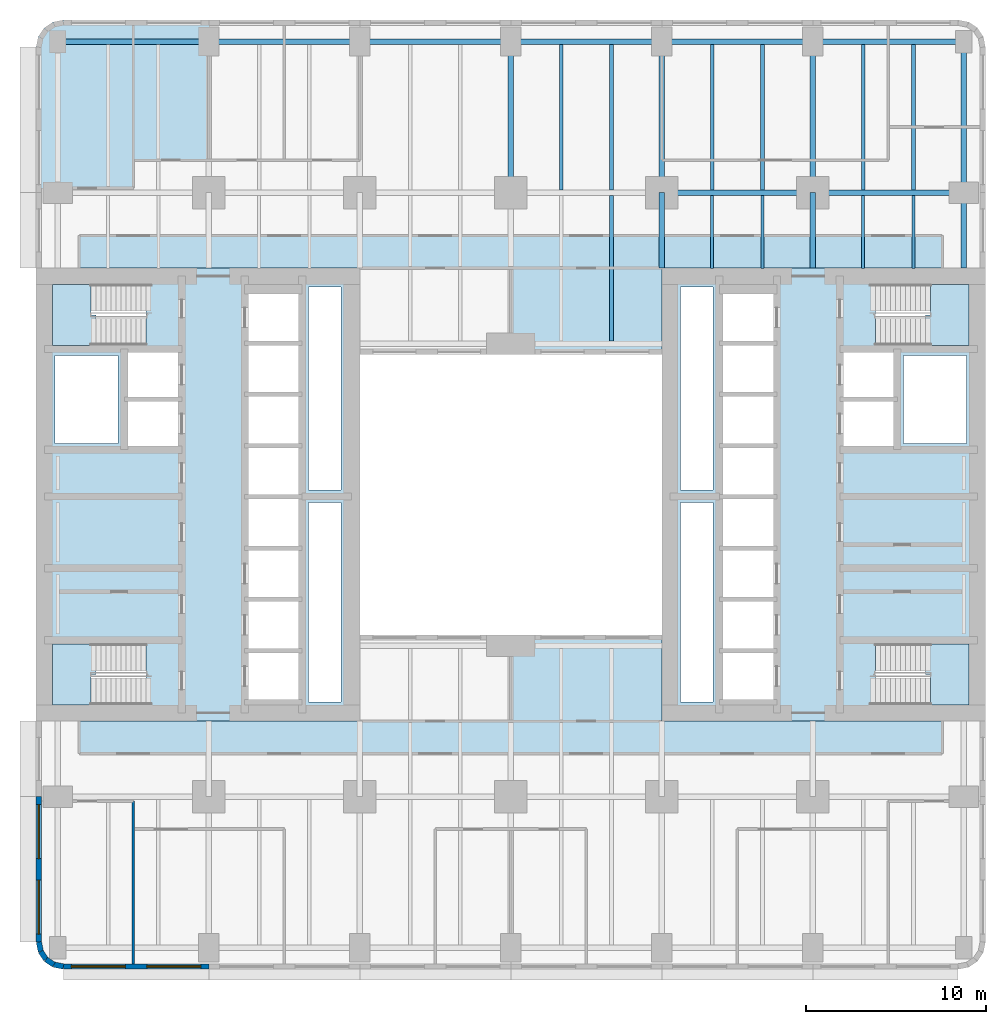
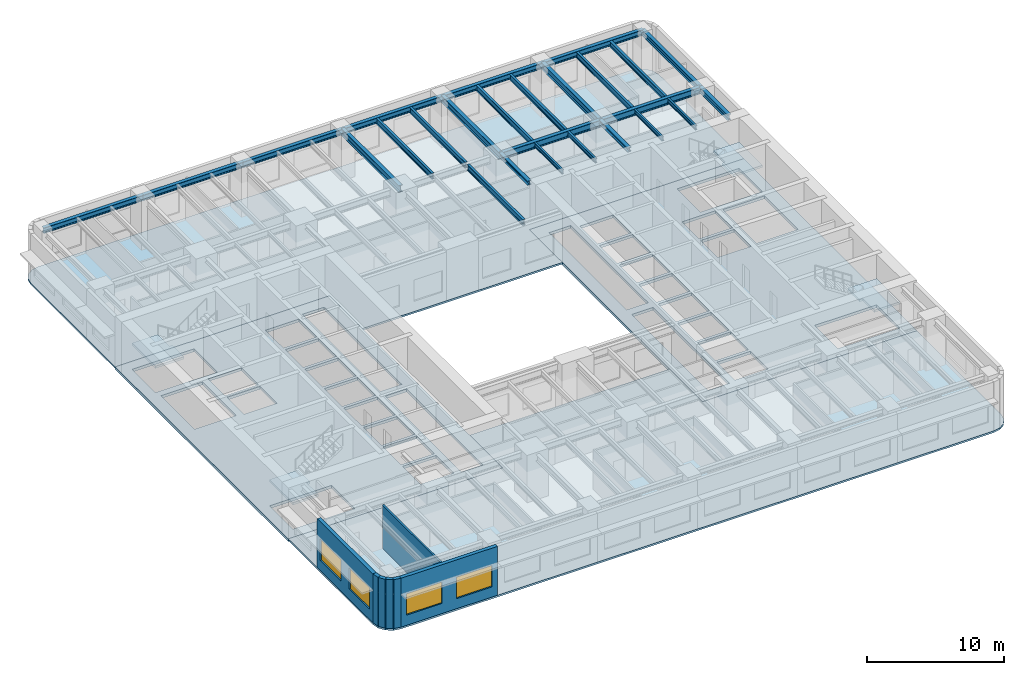
# One storey, part 2 of 14: 26 beams, 8 slabs, 7 walls, 4 windows, 4 openings, 4 elements without a shape of their own.
"""IFC4 building model written with IfcOpenShell, lengths in metres."""

import ifcopenshell
import ifcopenshell.guid

model = None  # the IFC model being written
_history = None  # IfcOwnerHistory: only IFC2X3 demands one
_inside = {}  # id of a spatial element -> (the spatial element, [elements in it])
_under = {}  # id of a project, library or spatial element -> (it, [spatial elements below it])
_declared = {}  # id of a project -> (the project, [libraries it declares])
_typed = {}  # id of a type object -> (the type object, [elements of that type])
_made_of = {}  # id of a material, layer set ... -> (it, [elements and type objects made of it])


def new_model(schema):
    """Start an empty IFC model of exactly this schema.

    Asked for "IFC4X3", IfcOpenShell would pick the latest addendum, in which some entities
    have other attributes; the version numbers below select the first issue.
    IFC2X3 requires an IfcOwnerHistory on every rooted entity: one is made here for all.
    """
    global model, _history
    if schema == "IFC4X3":
        model = ifcopenshell.file(schema_version=(4, 3, 0, 0))
    else:
        model = ifcopenshell.file(schema=schema)
    _inside.clear()
    _under.clear()
    _declared.clear()
    _typed.clear()
    _made_of.clear()
    _history = None
    if model.schema == "IFC2X3":
        org = make("IfcOrganization", Name="unknown")
        user = make(
            "IfcPersonAndOrganization",
            ThePerson=make("IfcPerson", FamilyName="unknown"),
            TheOrganization=org,
        )
        app = make(
            "IfcApplication",
            ApplicationDeveloper=org,
            Version="unknown",
            ApplicationFullName="unknown",
            ApplicationIdentifier="unknown",
        )
        _history = make(
            "IfcOwnerHistory",
            OwningUser=user,
            OwningApplication=app,
            ChangeAction="ADDED",
            CreationDate=0,
        )
    return model


def make(cls, **values):
    """One entity of the class cls with the attributes given. An attribute that is None is left unset."""
    return model.create_entity(
        cls, **{name: value for name, value in values.items() if value is not None}
    )


def rooted(cls, **values):
    """An entity with a GlobalId (a new one), such as an element, a storey or a relation."""
    return make(cls, GlobalId=ifcopenshell.guid.new(), OwnerHistory=_history, **values)


def si_unit(unit_type, name, prefix=None):
    """IfcSIUnit, for example si_unit("LENGTHUNIT", "METRE", prefix="MILLI")."""
    return make("IfcSIUnit", UnitType=unit_type, Prefix=prefix, Name=name)


def assignment(units):
    """IfcUnitAssignment: the units of a project."""
    return None if units is None else make("IfcUnitAssignment", Units=units)


def point(xyz):
    """IfcCartesianPoint."""
    return None if xyz is None else make("IfcCartesianPoint", Coordinates=xyz)


def direction(xyz):
    """IfcDirection."""
    return None if xyz is None else make("IfcDirection", DirectionRatios=xyz)


def frame(location, z_axis=None, x_axis=None):
    """IfcAxis2Placement3D, a coordinate frame: its origin and axes. An axis left out is left unset."""
    return make(
        "IfcAxis2Placement3D",
        Location=point(location),
        Axis=direction(z_axis),
        RefDirection=direction(x_axis),
    )


def frame_2d(location, x_axis=None):
    """IfcAxis2Placement2D, a coordinate frame in the plane: its origin and x axis."""
    return make(
        "IfcAxis2Placement2D", Location=point(location), RefDirection=direction(x_axis)
    )


def origin():
    """The frame at (0, 0, 0) with its axes left unset."""
    return frame((0.0, 0.0, 0.0))


def origin_2d():
    """The frame at (0, 0) in the plane with its x axis left unset."""
    return frame_2d((0.0, 0.0))


def place(relative_to, where):
    """IfcLocalPlacement: puts the frame where relative to a parent placement (None: the world)."""
    return make(
        "IfcLocalPlacement", PlacementRelTo=relative_to, RelativePlacement=where
    )


def context(
    kind, dimensions, precision=None, world=None, true_north=None, identifier=None
):
    """IfcGeometricRepresentationContext, for example the 3D "Model" context."""
    return make(
        "IfcGeometricRepresentationContext",
        ContextIdentifier=identifier,
        ContextType=kind,
        CoordinateSpaceDimension=dimensions,
        Precision=precision,
        WorldCoordinateSystem=world,
        TrueNorth=true_north,
    )


def subcontext(parent, identifier, kind, view, scale=None):
    """IfcGeometricRepresentationSubContext, for example "Body" below "Model"."""
    return make(
        "IfcGeometricRepresentationSubContext",
        ContextIdentifier=identifier,
        ContextType=kind,
        ParentContext=parent,
        TargetScale=scale,
        TargetView=view,
    )


def project(units=None, contexts=None):
    """IfcProject with its units and contexts."""
    return rooted(
        "IfcProject",
        Name="project",
        RepresentationContexts=contexts,
        UnitsInContext=assignment(units),
    )


def spatial(cls, under=None, at=None, **own):
    """A site, building, storey or space (cls), placed at a placement, below another one or the project."""
    s = rooted(cls, ObjectPlacement=at, **own)
    if under is not None:
        _under.setdefault(under.id(), (under, []))[1].append(s)
    return s


def polyline(points):
    """IfcPolyline through the points."""
    return make("IfcPolyline", Points=[point(p) for p in points])


def profile(cls, at=None, kind="AREA", **sizes):
    """A parametric profile (cls). Its sizes go by their IFC names, for example OverallWidth=200.0."""
    return make(cls, ProfileType=kind, Position=at, **sizes)


def rectangle(**sizes):
    """IfcRectangleProfileDef."""
    return profile("IfcRectangleProfileDef", **sizes)


def i_section(**sizes):
    """IfcIShapeProfileDef."""
    return profile("IfcIShapeProfileDef", **sizes)


def outline(outer, holes=None, kind="AREA"):
    """IfcArbitraryClosedProfileDef: a profile drawn as a closed curve; with holes, ...WithVoids."""
    if holes is None:
        return make("IfcArbitraryClosedProfileDef", ProfileType=kind, OuterCurve=outer)
    return make(
        "IfcArbitraryProfileDefWithVoids",
        ProfileType=kind,
        OuterCurve=outer,
        InnerCurves=holes,
    )


def extrude(swept, where, along, depth):
    """IfcExtrudedAreaSolid: the profile swept, set in the frame where, extruded along a direction by depth."""
    return make(
        "IfcExtrudedAreaSolid",
        SweptArea=swept,
        Position=where,
        ExtrudedDirection=direction(along),
        Depth=depth,
    )


def shape(context_of_items, identifier, shape_type, items):
    """IfcShapeRepresentation: the items that make up one representation, for example the "Body"."""
    return make(
        "IfcShapeRepresentation",
        ContextOfItems=context_of_items,
        RepresentationIdentifier=identifier,
        RepresentationType=shape_type,
        Items=items,
    )


def material(Name=None, Category=None):
    """IfcMaterial."""
    return make("IfcMaterial", Name=Name, Category=Category)


def layer(
    of_material, thickness, ventilated=None, Name=None, Category=None, Priority=None
):
    """IfcMaterialLayer: one layer of a wall or slab, of a material (None: an air gap)."""
    return make(
        "IfcMaterialLayer",
        Material=of_material,
        LayerThickness=thickness,
        IsVentilated=ventilated,
        Name=Name,
        Category=Category,
        Priority=Priority,
    )


def layer_set(layers, Name=None):
    """IfcMaterialLayerSet."""
    return make("IfcMaterialLayerSet", MaterialLayers=layers, LayerSetName=Name)


def material_profile(
    of_material, cross_section, Name=None, Category=None, Priority=None
):
    """IfcMaterialProfile: a cross section and its material."""
    return make(
        "IfcMaterialProfile",
        Name=Name,
        Material=of_material,
        Profile=cross_section,
        Priority=Priority,
        Category=Category,
    )


def profile_set(profiles, Name=None, composite=None):
    """IfcMaterialProfileSet."""
    return make(
        "IfcMaterialProfileSet",
        Name=Name,
        MaterialProfiles=profiles,
        CompositeProfile=composite,
    )


def made_of(thing, what):
    """Note that an element or type object is made of a material, layer set ...; save() writes the relation."""
    if what is not None:
        _made_of.setdefault(what.id(), (what, []))[1].append(thing)
    return thing


def type_object(cls, material=None, **own):
    """A type object (cls), such as IfcWallType, which elements share."""
    return made_of(rooted(cls, **own), material)


def element(
    cls,
    number,
    at=None,
    inside=None,
    cuts=None,
    type_object=None,
    material=None,
    context=None,
    identifier="Body",
    shape_type=None,
    held_by="IfcProductDefinitionShape",
    body=None,
    shapes=None,
    **own,
):
    """One element of the class cls, such as IfcWall. Its Tag is "e" and its number.

    at: its placement. inside: the storey or other place that contains it. cuts: it is an
    opening in that element (IfcRelVoidsElement). A single representation is given by context,
    identifier, shape_type and body (its items); several are given by shapes. held_by: the class
    of the entity that holds the representations. save() writes the other relations.
    """
    e = rooted(cls, Tag="e%d" % number, ObjectPlacement=at, **own)
    if body is not None:
        shapes = [shape(context, identifier, shape_type, body)]
    if shapes is not None:
        e.Representation = make(held_by, Representations=shapes)
    if inside is not None:
        _inside.setdefault(inside.id(), (inside, []))[1].append(e)
    if cuts is not None:
        rooted(
            "IfcRelVoidsElement", RelatingBuildingElement=cuts, RelatedOpeningElement=e
        )
    if type_object is not None:
        _typed.setdefault(type_object.id(), (type_object, []))[1].append(e)
    return made_of(e, material)


def fill(opening, filler):
    """IfcRelFillsElement: the door or window that sits in an opening."""
    return rooted(
        "IfcRelFillsElement",
        RelatingOpeningElement=opening,
        RelatedBuildingElement=filler,
    )


def aggregate(whole, parts):
    """IfcRelAggregates: a whole, such as a stair, and the parts it consists of."""
    return rooted("IfcRelAggregates", RelatingObject=whole, RelatedObjects=parts)


def save(model, path):
    """Write the relations noted so far, then the file.

    IfcRelAggregates (storeys below a building ...), IfcRelContainedInSpatialStructure (elements
    in a storey), IfcRelDefinesByType, IfcRelAssociatesMaterial and IfcRelDeclares: one each for
    every whole, place, type object, material and project.
    """
    for whole, parts in _under.values():
        aggregate(whole, parts)
    for where, things in _inside.values():
        rooted(
            "IfcRelContainedInSpatialStructure",
            RelatedElements=things,
            RelatingStructure=where,
        )
    for kind, things in _typed.values():
        rooted("IfcRelDefinesByType", RelatedObjects=things, RelatingType=kind)
    for what, things in _made_of.values():
        rooted("IfcRelAssociatesMaterial", RelatedObjects=things, RelatingMaterial=what)
    for by, libraries in _declared.values():
        rooted("IfcRelDeclares", RelatingContext=by, RelatedDefinitions=libraries)
    model.write(path)


model = new_model("IFC4")

# Units and contexts
model_context = context("Model", 3, precision=1e-05, world=origin(), true_north=direction((0.0, 1.0)))
body_context = subcontext(model_context, "Body", "Model", "MODEL_VIEW")
ifc_project = project(units=[si_unit("LENGTHUNIT", "METRE"), si_unit("AREAUNIT", "SQUARE_METRE"), si_unit("VOLUMEUNIT", "CUBIC_METRE"), si_unit("PLANEANGLEUNIT", "RADIAN"), si_unit("MASSUNIT", "GRAM", prefix="KILO")], contexts=[model_context])

# Site, building, storey
site_placement = place(None, origin())
site = spatial("IfcSite", under=ifc_project, at=site_placement, CompositionType="ELEMENT")
building_placement = place(site_placement, origin())
building = spatial("IfcBuilding", under=site, at=building_placement, Name="Claustro Exchange Tower", CompositionType="ELEMENT")
storey_placement = place(building_placement, frame((0.0, 0.0, 72.89990234375)))
storey = spatial("IfcBuildingStorey", under=building, at=storey_placement, Name="L16", CompositionType="ELEMENT", Elevation=72.89990234375)

# Beams
ifc_material_1 = material(Name="Steel S355", Category="steel")
ifc_material_profile_1 = material_profile(ifc_material_1, i_section(OverallWidth=0.300048828125, OverallDepth=0.60009765625, WebThickness=0.015380859375, FlangeThickness=0.030029296875, FilletRadius=0.027099609375, at=origin_2d()), Name="HE 600 B")
ifc_profile_set_1 = profile_set([ifc_material_profile_1], Name="Steel S355")
beam_type_1 = type_object("IfcBeamType", Name="B1 HE 600 B floor girder", PredefinedType="BEAM", material=ifc_profile_set_1)
for number, where, z_axis, x_axis, name in (
    (1, (25.199951171875, 42.0, 4.0400390625), (0.0, 1.0, 0.0), (-1.0, 0.0, 0.0), "Beam B1 L17"),
    (2, (33.60009765625, 42.0, 4.0400390625), (0.0, 1.0, 0.0), (-1.0, 0.0, 0.0), "Beam B1 L17"),
    (3, (42.0, 42.0, 4.0400390625), (0.0, 1.0, 0.0), (-1.0, 0.0, 0.0), "Beam B1 L17"),
    (4, (33.60009765625, 42.0, 4.0400390625), (1.0, 0.0, 0.0), (0.0, 1.0, 0.0), "Beam B1 L17"),
    (5, (42.0, 42.0, 4.0400390625), (1.0, 0.0, 0.0), (0.0, 1.0, 0.0), "Beam B1 L17"),
):
    element("IfcBeam", number, at=place(storey_placement, frame(where, z_axis=z_axis, x_axis=x_axis)), inside=storey, type_object=beam_type_1, Name=name, PredefinedType="BEAM", context=body_context, shape_type="SweptSolid", body=[
        extrude(i_section(OverallWidth=0.300048828125, OverallDepth=0.60009765625, WebThickness=0.015380859375, FlangeThickness=0.030029296875, FilletRadius=0.027099609375, at=origin_2d()), origin(), (0.0, 0.0, 1.0), 8.39990234375),
    ])
ifc_material_2 = material(Name="Steel S355", Category="steel")
ifc_material_profile_2 = material_profile(ifc_material_2, i_section(OverallWidth=0.169921875, OverallDepth=0.360107421875, WebThickness=0.008056640625, FlangeThickness=0.0126953125, FilletRadius=0.01806640625, at=origin_2d()), Name="IPE 360")
ifc_profile_set_2 = profile_set([ifc_material_profile_2], Name="Steel S355")
beam_type_2 = type_object("IfcBeamType", Name="B16 IPE 360 short-span beam", PredefinedType="BEAM", material=ifc_profile_set_2)
for number, where, z_axis, x_axis, name in (
    (6, (36.39990234375, 37.7900390625, 4.16015625), (0.0, 1.0, 0.0), (-1.0, 0.0, 0.0), "Beam B16 L17"),
    (7, (39.199951171875, 37.7900390625, 4.16015625), (0.0, 1.0, 0.0), (-1.0, 0.0, 0.0), "Beam B16 L17"),
    (8, (44.800048828125, 37.7900390625, 4.16015625), (0.0, 1.0, 0.0), (-1.0, 0.0, 0.0), "Beam B16 L17"),
    (9, (47.60009765625, 37.7900390625, 4.16015625), (0.0, 1.0, 0.0), (-1.0, 0.0, 0.0), "Beam B16 L17"),
):
    element("IfcBeam", number, at=place(storey_placement, frame(where, z_axis=z_axis, x_axis=x_axis)), inside=storey, type_object=beam_type_2, Name=name, PredefinedType="BEAM", context=body_context, shape_type="SweptSolid", body=[
        extrude(i_section(OverallWidth=0.169921875, OverallDepth=0.360107421875, WebThickness=0.008056640625, FlangeThickness=0.0126953125, FilletRadius=0.01806640625, at=origin_2d()), origin(), (0.0, 0.0, 1.0), 4.06005859375),
    ])
ifc_material_3 = material(Name="Steel S355", Category="steel")
ifc_material_profile_3 = material_profile(ifc_material_3, i_section(OverallWidth=0.199951171875, OverallDepth=0.5, WebThickness=0.01025390625, FlangeThickness=0.01611328125, FilletRadius=0.02099609375, at=origin_2d()), Name="IPE 500")
ifc_profile_set_3 = profile_set([ifc_material_profile_3], Name="Steel S355")
beam_type_3 = type_object("IfcBeamType", Name="B2 IPE 500 secondary beam", PredefinedType="BEAM", material=ifc_profile_set_3)
for number, where, z_axis, x_axis, name in (
    (10, (30.800048828125, 33.75, 4.090087890625), (0.0, 1.0, 0.0), (-1.0, 0.0, 0.0), "Beam B2 L17"),
    (11, (28.0, 42.14990234375, 4.090087890625), (0.0, 1.0, 0.0), (-1.0, 0.0, 0.0), "Beam B2 L17"),
    (12, (30.800048828125, 42.14990234375, 4.090087890625), (0.0, 1.0, 0.0), (-1.0, 0.0, 0.0), "Beam B2 L17"),
    (13, (36.39990234375, 42.14990234375, 4.090087890625), (0.0, 1.0, 0.0), (-1.0, 0.0, 0.0), "Beam B2 L17"),
    (14, (39.199951171875, 42.14990234375, 4.090087890625), (0.0, 1.0, 0.0), (-1.0, 0.0, 0.0), "Beam B2 L17"),
    (15, (44.800048828125, 42.14990234375, 4.090087890625), (0.0, 1.0, 0.0), (-1.0, 0.0, 0.0), "Beam B2 L17"),
    (16, (47.60009765625, 42.14990234375, 4.090087890625), (0.0, 1.0, 0.0), (-1.0, 0.0, 0.0), "Beam B2 L17"),
):
    element("IfcBeam", number, at=place(storey_placement, frame(where, z_axis=z_axis, x_axis=x_axis)), inside=storey, type_object=beam_type_3, Name=name, PredefinedType="BEAM", context=body_context, shape_type="SweptSolid", body=[
        extrude(i_section(OverallWidth=0.199951171875, OverallDepth=0.5, WebThickness=0.01025390625, FlangeThickness=0.01611328125, FilletRadius=0.02099609375, at=origin_2d()), origin(), (0.0, 0.0, 1.0), 8.10009765625),
    ])
ifc_material_4 = material(Name="Steel S355", Category="steel")
ifc_material_profile_4 = material_profile(ifc_material_4, i_section(OverallWidth=0.300048828125, OverallDepth=0.360107421875, WebThickness=0.012451171875, FlangeThickness=0.0224609375, FilletRadius=0.027099609375, at=origin_2d()), Name="HE 360 B")
ifc_profile_set_4 = profile_set([ifc_material_profile_4], Name="Steel S355")
beam_type_4 = type_object("IfcBeamType", Name="B29 HE 360 B column to core link beam", PredefinedType="BEAM", material=ifc_profile_set_4)
for number, where, z_axis, x_axis, name in (
    (17, (33.60009765625, 37.800048828125, 4.16015625), (0.0, 1.0, 0.0), (-1.0, 0.0, 0.0), "Beam B29 L17"),
    (18, (42.0, 37.800048828125, 4.16015625), (0.0, 1.0, 0.0), (-1.0, 0.0, 0.0), "Beam B29 L17"),
):
    element("IfcBeam", number, at=place(storey_placement, frame(where, z_axis=z_axis, x_axis=x_axis)), inside=storey, type_object=beam_type_4, Name=name, PredefinedType="BEAM", context=body_context, shape_type="SweptSolid", body=[
        extrude(i_section(OverallWidth=0.300048828125, OverallDepth=0.360107421875, WebThickness=0.012451171875, FlangeThickness=0.0224609375, FilletRadius=0.027099609375, at=origin_2d()), origin(), (0.0, 0.0, 1.0), 4.199951171875),
    ])
ifc_material_5 = material(Name="Steel S355", Category="steel")
ifc_material_profile_5 = material_profile(ifc_material_5, i_section(OverallWidth=0.300048828125, OverallDepth=0.5, WebThickness=0.014404296875, FlangeThickness=0.028076171875, FilletRadius=0.027099609375, at=origin_2d()), Name="HE 500 B")
ifc_profile_set_5 = profile_set([ifc_material_profile_5], Name="Steel S355")
beam_type_5 = type_object("IfcBeamType", Name="B3 HE 500 B spandrel edge girder", PredefinedType="SPANDREL", material=ifc_profile_set_5)
beam_1_placement = place(storey_placement, frame((50.39990234375, 37.800048828125, 4.090087890625), z_axis=(0.0, 1.0, 0.0), x_axis=(-1.0, 0.0, 0.0)))
element("IfcBeam", 19, at=beam_1_placement, inside=storey, type_object=beam_type_5, Name="Beam B3 L17", PredefinedType="SPANDREL", context=body_context, shape_type="SweptSolid", body=[
    extrude(i_section(OverallWidth=0.300048828125, OverallDepth=0.5, WebThickness=0.014404296875, FlangeThickness=0.028076171875, FilletRadius=0.027099609375, at=origin_2d()), origin(), (0.0, 0.0, 1.0), 4.199951171875),
])
for number, where, z_axis, x_axis, name in (
    (20, (50.39990234375, 42.0, 4.090087890625), (0.0, 1.0, 0.0), (-1.0, 0.0, 0.0), "Beam B3 L17"),
    (21, (0.0, 50.39990234375, 4.090087890625), (1.0, 0.0, 0.0), (0.0, 1.0, 0.0), "Beam B3 L17"),
):
    element("IfcBeam", number, at=place(storey_placement, frame(where, z_axis=z_axis, x_axis=x_axis)), inside=storey, type_object=beam_type_5, Name=name, PredefinedType="SPANDREL", context=body_context, shape_type="SweptSolid", body=[
        extrude(i_section(OverallWidth=0.300048828125, OverallDepth=0.5, WebThickness=0.014404296875, FlangeThickness=0.028076171875, FilletRadius=0.027099609375, at=origin_2d()), origin(), (0.0, 0.0, 1.0), 8.39990234375),
    ])
beam_2_placement = place(storey_placement, frame((8.39990234375, 50.39990234375, 4.090087890625), z_axis=(1.0, 0.0, 0.0), x_axis=(0.0, 1.0, 0.0)))
element("IfcBeam", 22, at=beam_2_placement, inside=storey, type_object=beam_type_5, Name="Beam B3 L17", PredefinedType="SPANDREL", context=body_context, shape_type="SweptSolid", body=[
    extrude(i_section(OverallWidth=0.300048828125, OverallDepth=0.5, WebThickness=0.014404296875, FlangeThickness=0.028076171875, FilletRadius=0.027099609375, at=origin_2d()), origin(), (0.0, 0.0, 1.0), 8.400146484375),
])
beam_3_placement = place(storey_placement, frame((16.800048828125, 50.39990234375, 4.090087890625), z_axis=(1.0, 0.0, 0.0), x_axis=(0.0, 1.0, 0.0)))
element("IfcBeam", 23, at=beam_3_placement, inside=storey, type_object=beam_type_5, Name="Beam B3 L17", PredefinedType="SPANDREL", context=body_context, shape_type="SweptSolid", body=[
    extrude(i_section(OverallWidth=0.300048828125, OverallDepth=0.5, WebThickness=0.014404296875, FlangeThickness=0.028076171875, FilletRadius=0.027099609375, at=origin_2d()), origin(), (0.0, 0.0, 1.0), 8.39990234375),
])
beam_4_placement = place(storey_placement, frame((25.199951171875, 50.39990234375, 4.090087890625), z_axis=(1.0, 0.0, 0.0), x_axis=(0.0, 1.0, 0.0)))
element("IfcBeam", 24, at=beam_4_placement, inside=storey, type_object=beam_type_5, Name="Beam B3 L17", PredefinedType="SPANDREL", context=body_context, shape_type="SweptSolid", body=[
    extrude(i_section(OverallWidth=0.300048828125, OverallDepth=0.5, WebThickness=0.014404296875, FlangeThickness=0.028076171875, FilletRadius=0.027099609375, at=origin_2d()), origin(), (0.0, 0.0, 1.0), 8.400146484375),
])
for number, where, z_axis, x_axis, name in (
    (25, (33.60009765625, 50.39990234375, 4.090087890625), (1.0, 0.0, 0.0), (0.0, 1.0, 0.0), "Beam B3 L17"),
    (26, (42.0, 50.39990234375, 4.090087890625), (1.0, 0.0, 0.0), (0.0, 1.0, 0.0), "Beam B3 L17"),
):
    element("IfcBeam", number, at=place(storey_placement, frame(where, z_axis=z_axis, x_axis=x_axis)), inside=storey, type_object=beam_type_5, Name=name, PredefinedType="SPANDREL", context=body_context, shape_type="SweptSolid", body=[
        extrude(i_section(OverallWidth=0.300048828125, OverallDepth=0.5, WebThickness=0.014404296875, FlangeThickness=0.028076171875, FilletRadius=0.027099609375, at=origin_2d()), origin(), (0.0, 0.0, 1.0), 8.39990234375),
    ])

# Slabs
ifc_material_6 = material(Name="Concrete HA-50 (C50/60)", Category="concrete")
ifc_layer_1 = layer(ifc_material_6, 0.159912109375)
ifc_layer_set_1 = layer_set([ifc_layer_1], Name="Concrete HA-50 (C50/60)")
slab_type_1 = type_object("IfcSlabType", Name="S1 160 composite floor slab", PredefinedType="FLOOR", material=ifc_layer_set_1)
slab_1_placement = place(storey_placement, frame((0.0, 0.0, -0.159912109375)))
element("IfcSlab", 27, at=slab_1_placement, inside=storey, type_object=slab_type_1, Name="Floor slab S1 S L16", PredefinedType="FLOOR", context=body_context, shape_type="SweptSolid", body=[
    extrude(outline(polyline([(-0.27392578125, -1.085693359375), (0.300048828125, -1.199951171875), (50.10009765625, -1.199951171875), (50.674072265625, -1.085693359375), (51.16064453125, -0.7607421875), (51.48583984375, -0.27392578125), (51.60009765625, 0.300048828125), (51.60009765625, 12.60009765625), (33.60009765625, 12.60009765625), (33.60009765625, 17.39990234375), (16.800048828125, 17.39990234375), (16.800048828125, 12.60009765625), (-1.199951171875, 12.60009765625), (-1.199951171875, 0.300048828125), (-1.085693359375, -0.27392578125), (-0.7607421875, -0.7607421875), (-0.27392578125, -1.085693359375)])), origin(), (0.0, 0.0, 1.0), 0.159912109375),
])
slab_2_placement = place(storey_placement, frame((0.0, 0.0, -0.159912109375)))
element("IfcSlab", 28, at=slab_2_placement, inside=storey, type_object=slab_type_1, Name="Floor slab S1 N L16", PredefinedType="FLOOR", context=body_context, shape_type="SweptSolid", body=[
    extrude(outline(polyline([(16.800048828125, 37.800048828125), (16.800048828125, 33.0), (33.60009765625, 33.0), (33.60009765625, 37.800048828125), (51.60009765625, 37.800048828125), (51.60009765625, 50.10009765625), (51.48583984375, 50.674072265625), (51.16064453125, 51.16064453125), (50.674072265625, 51.48583984375), (50.10009765625, 51.60009765625), (0.300048828125, 51.60009765625), (-0.27392578125, 51.48583984375), (-0.7607421875, 51.16064453125), (-1.085693359375, 50.674072265625), (-1.199951171875, 50.10009765625), (-1.199951171875, 37.800048828125), (16.800048828125, 37.800048828125)])), origin(), (0.0, 0.0, 1.0), 0.159912109375),
])
ifc_material_7 = material(Name="Concrete HA-50 (C50/60)", Category="concrete")
ifc_layer_2 = layer(ifc_material_7, 0.25)
ifc_layer_set_2 = layer_set([ifc_layer_2], Name="Concrete HA-50 (C50/60)")
slab_type_2 = type_object("IfcSlabType", Name="S7 250 core floor slab", PredefinedType="FLOOR", material=ifc_layer_set_2)
slab_3_placement = place(storey_placement, frame((0.0, 0.0, -0.25)))
element("IfcSlab", 29, at=slab_3_placement, inside=storey, type_object=slab_type_2, Name="Core floor slab S7 W core L16", PredefinedType="FLOOR", context=body_context, shape_type="SweptSolid", body=[
    extrude(outline(polyline([(-1.199951171875, 12.60009765625), (16.800048828125, 12.60009765625), (16.800048828125, 37.800048828125), (-1.199951171875, 37.800048828125), (-1.199951171875, 12.60009765625)]), holes=[polyline([(15.75, 24.75), (15.75, 13.64990234375), (13.949951171875, 13.64990234375), (13.949951171875, 24.75), (15.75, 24.75)]), polyline([(15.75, 36.75), (15.75, 25.449951171875), (13.949951171875, 25.449951171875), (13.949951171875, 36.75), (15.75, 36.75)]), polyline([(10.60009765625, 16.39990234375), (13.39990234375, 16.39990234375), (13.39990234375, 13.800048828125), (10.60009765625, 13.800048828125), (10.60009765625, 16.39990234375)]), polyline([(13.39990234375, 19.25), (13.39990234375, 16.64990234375), (10.60009765625, 16.64990234375), (10.60009765625, 19.25), (13.39990234375, 19.25)]), polyline([(13.39990234375, 22.10009765625), (13.39990234375, 19.5), (10.60009765625, 19.5), (10.60009765625, 22.10009765625), (13.39990234375, 22.10009765625)]), polyline([(13.39990234375, 24.949951171875), (13.39990234375, 22.35009765625), (10.60009765625, 22.35009765625), (10.60009765625, 24.949951171875), (13.39990234375, 24.949951171875)]), polyline([(13.39990234375, 27.800048828125), (13.39990234375, 25.199951171875), (10.60009765625, 25.199951171875), (10.60009765625, 27.800048828125), (13.39990234375, 27.800048828125)]), polyline([(13.39990234375, 30.64990234375), (13.39990234375, 28.050048828125), (10.60009765625, 28.050048828125), (10.60009765625, 30.64990234375), (13.39990234375, 30.64990234375)]), polyline([(13.39990234375, 33.5), (13.39990234375, 30.89990234375), (10.60009765625, 30.89990234375), (10.60009765625, 33.5), (13.39990234375, 33.5)]), polyline([(13.39990234375, 36.35009765625), (13.39990234375, 33.75), (10.60009765625, 33.75), (10.60009765625, 36.35009765625), (13.39990234375, 36.35009765625)]), polyline([(6.699951171875, 30.375), (6.699951171875, 27.89990234375), (3.89990234375, 27.89990234375), (3.89990234375, 30.375), (6.699951171875, 30.375)]), polyline([(6.699951171875, 33.10009765625), (6.699951171875, 30.625), (3.89990234375, 30.625), (3.89990234375, 33.10009765625), (6.699951171875, 33.10009765625)]), polyline([(-0.300048828125, 15.199951171875), (-0.300048828125, 16.89990234375), (4.9150390625, 16.89990234375), (4.9150390625, 15.199951171875), (4.919921875, 15.199951171875), (4.919921875, 13.5), (-0.300048828125, 13.5), (-0.300048828125, 15.199951171875)]), polyline([(-0.300048828125, 36.89990234375), (4.919921875, 36.89990234375), (4.919921875, 35.199951171875), (4.9150390625, 35.199951171875), (4.9150390625, 33.5), (-0.300048828125, 33.5), (-0.300048828125, 35.199951171875), (-0.300048828125, 36.89990234375)]), polyline([(3.35009765625, 32.949951171875), (3.35009765625, 28.050048828125), (-0.14990234375, 28.050048828125), (-0.14990234375, 32.949951171875), (3.35009765625, 32.949951171875)])]), origin(), (0.0, 0.0, 1.0), 0.25),
])
slab_4_placement = place(storey_placement, frame((0.0, 0.0, -0.25)))
element("IfcSlab", 30, at=slab_4_placement, inside=storey, type_object=slab_type_2, Name="Core floor slab S7 E core L16", PredefinedType="FLOOR", context=body_context, shape_type="SweptSolid", body=[
    extrude(outline(polyline([(33.60009765625, 12.60009765625), (51.60009765625, 12.60009765625), (51.60009765625, 37.800048828125), (33.60009765625, 37.800048828125), (33.60009765625, 12.60009765625)]), holes=[polyline([(45.47998046875, 35.199951171875), (45.47998046875, 36.89990234375), (50.699951171875, 36.89990234375), (50.699951171875, 35.199951171875), (50.699951171875, 33.5), (45.485107421875, 33.5), (45.485107421875, 35.199951171875), (45.47998046875, 35.199951171875)]), polyline([(45.485107421875, 15.199951171875), (45.485107421875, 16.89990234375), (50.699951171875, 16.89990234375), (50.699951171875, 15.199951171875), (50.699951171875, 13.5), (45.47998046875, 13.5), (45.47998046875, 15.199951171875), (45.485107421875, 15.199951171875)]), polyline([(50.550048828125, 32.949951171875), (50.550048828125, 28.050048828125), (47.050048828125, 28.050048828125), (47.050048828125, 32.949951171875), (50.550048828125, 32.949951171875)]), polyline([(46.5, 30.375), (46.5, 27.89990234375), (43.699951171875, 27.89990234375), (43.699951171875, 30.375), (46.5, 30.375)]), polyline([(46.5, 33.10009765625), (46.5, 30.625), (43.699951171875, 30.625), (43.699951171875, 33.10009765625), (46.5, 33.10009765625)]), polyline([(37.0, 16.39990234375), (39.800048828125, 16.39990234375), (39.800048828125, 13.800048828125), (37.0, 13.800048828125), (37.0, 16.39990234375)]), polyline([(39.800048828125, 19.25), (39.800048828125, 16.64990234375), (37.0, 16.64990234375), (37.0, 19.25), (39.800048828125, 19.25)]), polyline([(39.800048828125, 22.10009765625), (39.800048828125, 19.5), (37.0, 19.5), (37.0, 22.10009765625), (39.800048828125, 22.10009765625)]), polyline([(39.800048828125, 24.949951171875), (39.800048828125, 22.35009765625), (37.0, 22.35009765625), (37.0, 24.949951171875), (39.800048828125, 24.949951171875)]), polyline([(39.800048828125, 27.800048828125), (39.800048828125, 25.199951171875), (37.0, 25.199951171875), (37.0, 27.800048828125), (39.800048828125, 27.800048828125)]), polyline([(39.800048828125, 30.64990234375), (39.800048828125, 28.050048828125), (37.0, 28.050048828125), (37.0, 30.64990234375), (39.800048828125, 30.64990234375)]), polyline([(39.800048828125, 33.5), (39.800048828125, 30.89990234375), (37.0, 30.89990234375), (37.0, 33.5), (39.800048828125, 33.5)]), polyline([(39.800048828125, 36.35009765625), (39.800048828125, 33.75), (37.0, 33.75), (37.0, 36.35009765625), (39.800048828125, 36.35009765625)]), polyline([(36.449951171875, 24.75), (36.449951171875, 13.64990234375), (34.64990234375, 13.64990234375), (34.64990234375, 24.75), (36.449951171875, 24.75)]), polyline([(36.449951171875, 36.75), (36.449951171875, 25.449951171875), (34.64990234375, 25.449951171875), (34.64990234375, 36.75), (36.449951171875, 36.75)])]), origin(), (0.0, 0.0, 1.0), 0.25),
])

# Stair, slab
ifc_material_8 = material(Name="Concrete HA-30 (C30/37), precast", Category="concrete")
stair_type = type_object("IfcStairType", Name="ST2 half-turn stair, 25 risers of 180", PredefinedType="HALF_TURN_STAIR", material=ifc_material_8)
stair_1_placement = place(storey_placement, origin())
stair_1 = element("IfcStair", 31, at=stair_1_placement, inside=storey, type_object=stair_type, Name="Stair STWA L16", PredefinedType="HALF_TURN_STAIR")
ifc_material_9 = material(Name="Concrete HA-30 (C30/37), precast", Category="concrete")
ifc_layer_3 = layer(ifc_material_9, 0.199951171875)
ifc_layer_set_3 = layer_set([ifc_layer_3], Name="Concrete HA-30 (C30/37), precast")
slab_type_3 = type_object("IfcSlabType", Name="S9 200 stair landing", PredefinedType="LANDING", material=ifc_layer_set_3)
slab_5_placement = place(storey_placement, frame((0.0, 0.0, 2.14013671875)))
slab_5 = element("IfcSlab", 32, at=slab_5_placement, type_object=slab_type_3, Name="STWA landing 1", PredefinedType="LANDING", context=body_context, shape_type="SweptSolid", body=[
    extrude(outline(polyline([(1.844970703125, 13.5), (-0.300048828125, 13.5), (-0.300048828125, 16.89990234375), (1.840087890625, 16.89990234375), (1.844970703125, 16.89990234375), (2.1201171875, 16.89990234375), (2.1201171875, 15.199951171875), (1.844970703125, 15.199951171875), (1.844970703125, 13.5)])), origin(), (0.0, 0.0, 1.0), 0.199951171875),
])
aggregate(stair_1, [slab_5])

stair_2_placement = place(storey_placement, origin())
stair_2 = element("IfcStair", 33, at=stair_2_placement, inside=storey, type_object=stair_type, Name="Stair STWB L16", PredefinedType="HALF_TURN_STAIR")
slab_6_placement = place(storey_placement, frame((0.0, 0.0, 2.14013671875)))
slab_6 = element("IfcSlab", 34, at=slab_6_placement, type_object=slab_type_3, Name="STWB landing 1", PredefinedType="LANDING", context=body_context, shape_type="SweptSolid", body=[
    extrude(outline(polyline([(2.1201171875, 35.199951171875), (2.1201171875, 33.5), (1.844970703125, 33.5), (1.840087890625, 33.5), (-0.300048828125, 33.5), (-0.300048828125, 36.89990234375), (1.844970703125, 36.89990234375), (1.844970703125, 35.199951171875), (2.1201171875, 35.199951171875)])), origin(), (0.0, 0.0, 1.0), 0.199951171875),
])
aggregate(stair_2, [slab_6])

stair_3_placement = place(storey_placement, origin())
stair_3 = element("IfcStair", 35, at=stair_3_placement, inside=storey, type_object=stair_type, Name="Stair STEA L16", PredefinedType="HALF_TURN_STAIR")
slab_7_placement = place(storey_placement, frame((0.0, 0.0, 2.14013671875)))
slab_7 = element("IfcSlab", 36, at=slab_7_placement, type_object=slab_type_3, Name="STEA landing 1", PredefinedType="LANDING", context=body_context, shape_type="SweptSolid", body=[
    extrude(outline(polyline([(50.699951171875, 16.89990234375), (50.699951171875, 13.5), (48.554931640625, 13.5), (48.554931640625, 15.199951171875), (48.280029296875, 15.199951171875), (48.280029296875, 16.89990234375), (48.554931640625, 16.89990234375), (48.56005859375, 16.89990234375), (50.699951171875, 16.89990234375)])), origin(), (0.0, 0.0, 1.0), 0.199951171875),
])
aggregate(stair_3, [slab_7])

stair_4_placement = place(storey_placement, origin())
stair_4 = element("IfcStair", 37, at=stair_4_placement, inside=storey, type_object=stair_type, Name="Stair STEB L16", PredefinedType="HALF_TURN_STAIR")
slab_8_placement = place(storey_placement, frame((0.0, 0.0, 2.14013671875)))
slab_8 = element("IfcSlab", 38, at=slab_8_placement, type_object=slab_type_3, Name="STEB landing 1", PredefinedType="LANDING", context=body_context, shape_type="SweptSolid", body=[
    extrude(outline(polyline([(48.280029296875, 33.5), (48.280029296875, 35.199951171875), (48.554931640625, 35.199951171875), (48.554931640625, 36.89990234375), (50.699951171875, 36.89990234375), (50.699951171875, 33.5), (48.56005859375, 33.5), (48.554931640625, 33.5), (48.280029296875, 33.5)])), origin(), (0.0, 0.0, 1.0), 0.199951171875),
])
aggregate(stair_4, [slab_8])

# Wall
ifc_material_10 = material(Name="Gypsum board on steel studs", Category="steel")
ifc_layer_4 = layer(ifc_material_10, 0.14990234375)
ifc_layer_set_4 = layer_set([ifc_layer_4], Name="Gypsum board on steel studs")
wall_type_1 = type_object("IfcWallType", Name="P1 150 plasterboard partition", PredefinedType="PARTITIONING", material=ifc_layer_set_4)
wall_1_placement = place(storey_placement, frame((4.199951171875, -0.902099609375, 0.0), z_axis=(0.0, 0.0, 1.0), x_axis=(0.0, 1.0, 0.0)))
element("IfcWall", 39, at=wall_1_placement, inside=storey, type_object=wall_type_1, Name="Partition P1 L16", PredefinedType="PARTITIONING", context=body_context, shape_type="SweptSolid", body=[
    extrude(rectangle(XDim=9.052001953125, YDim=0.14990234375, at=frame_2d((4.52587890625, 0.0))), origin(), (0.0, 0.0, 1.0), 3.840087890625),
])

# Wall, openings, windows
ifc_material_11 = material(Name="Concrete HA-40 (C40/50), precast, white cement, acid-etched", Category="concrete")
ifc_layer_5 = layer(ifc_material_11, 0.300048828125)
ifc_layer_set_5 = layer_set([ifc_layer_5], Name="Concrete HA-40 (C40/50), precast, white cement, acid-etched")
wall_type_2 = type_object("IfcWallType", Name="PC1 300 precast concrete pier panel", PredefinedType="SOLIDWALL", material=ifc_layer_set_5)
wall_2_placement = place(storey_placement, frame((8.39990234375, -1.050048828125, 0.0), z_axis=(0.0, 0.0, 1.0), x_axis=(-1.0, 0.0, 0.0)))
wall_2 = element("IfcWall", 40, at=wall_2_placement, inside=storey, type_object=wall_type_2, Name="Precast pier panel PC1 L16", PredefinedType="SOLIDWALL", context=body_context, shape_type="SweptSolid", body=[
    extrude(rectangle(XDim=8.085205078125, YDim=0.300048828125, at=frame_2d((4.04248046875, 0.0))), origin(), (0.0, 0.0, 1.0), 4.340087890625),
])
opening_1_placement = place(wall_2_placement, frame((0.442626953125, 0.0, 0.89990234375)))
opening_1 = element("IfcOpeningElement", 41, at=opening_1_placement, cuts=wall_2, Name="Opening W1", PredefinedType="OPENING", context=body_context, shape_type="SweptSolid", body=[
    extrude(rectangle(XDim=3.0, YDim=1.89990234375, at=frame_2d((1.5, 0.949951171875))), frame((0.0, 0.159912109375, 0.0), z_axis=(0.0, -1.0, 0.0), x_axis=(1.0, 0.0, 0.0)), (0.0, 0.0, 1.0), 0.320068359375),
])
opening_2_placement = place(wall_2_placement, frame((4.642578125, 0.0, 0.89990234375)))
opening_2 = element("IfcOpeningElement", 42, at=opening_2_placement, cuts=wall_2, Name="Opening W1", PredefinedType="OPENING", context=body_context, shape_type="SweptSolid", body=[
    extrude(rectangle(XDim=3.0, YDim=1.89990234375, at=frame_2d((1.5, 0.949951171875))), frame((0.0, 0.159912109375, 0.0), z_axis=(0.0, -1.0, 0.0), x_axis=(1.0, 0.0, 0.0)), (0.0, 0.0, 1.0), 0.320068359375),
])
ifc_material_12 = material(Name="Aluminium frame, clear double glazing", Category="aluminium")
window_type = type_object("IfcWindowType", Name="W1 3000 x 1900 window", PartitioningType="SINGLE_PANEL", PredefinedType="WINDOW", material=ifc_material_12)
window_1_placement = place(opening_1_placement, origin())
window_1 = element("IfcWindow", 43, at=window_1_placement, inside=storey, type_object=window_type, Name="Window W1 L16", OverallHeight=1.89990234375, OverallWidth=3.0, PartitioningType="SINGLE_PANEL", PredefinedType="WINDOW", context=body_context, shape_type="SweptSolid", body=[
    extrude(rectangle(XDim=3.0, YDim=1.89990234375, at=frame_2d((1.5, 0.949951171875))), frame((0.0, 0.030029296875, 0.0), z_axis=(0.0, -1.0, 0.0), x_axis=(1.0, 0.0, 0.0)), (0.0, 0.0, 1.0), 0.06005859375),
])
fill(opening_1, window_1)
window_2_placement = place(opening_2_placement, origin())
window_2 = element("IfcWindow", 44, at=window_2_placement, inside=storey, type_object=window_type, Name="Window W1 L16", OverallHeight=1.89990234375, OverallWidth=3.0, PartitioningType="SINGLE_PANEL", PredefinedType="WINDOW", context=body_context, shape_type="SweptSolid", body=[
    extrude(rectangle(XDim=3.0, YDim=1.89990234375, at=frame_2d((1.5, 0.949951171875))), frame((0.0, 0.030029296875, 0.0), z_axis=(0.0, -1.0, 0.0), x_axis=(1.0, 0.0, 0.0)), (0.0, 0.0, 1.0), 0.06005859375),
])
fill(opening_2, window_2)

# Walls
wall_3_placement = place(storey_placement, frame((0.314697265625, -1.050048828125, 0.0), z_axis=(0.0, 0.0, 1.0), x_axis=(-0.980788534345, 0.195073962632, 0.0)))
element("IfcWall", 45, at=wall_3_placement, inside=storey, type_object=wall_type_2, Name="Precast pier panel PC1 L16", PredefinedType="SOLIDWALL", context=body_context, shape_type="SweptSolid", body=[
    extrude(rectangle(XDim=0.540771484375, YDim=0.300048828125, at=frame_2d((0.2705078125, 0.0))), origin(), (0.0, 0.0, 1.0), 4.340087890625),
])
for number, where, z_axis, x_axis, name in (
    (46, (-0.215576171875, -0.944580078125, 0.0), (0.0, 0.0, 1.0), (-0.831478144188, 0.555557463938, 0.0), "Precast pier panel PC1 L16"),
    (47, (-0.652587890625, -0.652587890625, 0.0), (0.0, 0.0, 1.0), (-0.555557463938, 0.831478144188, 0.0), "Precast pier panel PC1 L16"),
):
    element("IfcWall", number, at=place(storey_placement, frame(where, z_axis=z_axis, x_axis=x_axis)), inside=storey, type_object=wall_type_2, Name=name, PredefinedType="SOLIDWALL", context=body_context, shape_type="SweptSolid", body=[
        extrude(rectangle(XDim=0.525634765625, YDim=0.300048828125, at=frame_2d((0.2626953125, 0.0))), origin(), (0.0, 0.0, 1.0), 4.340087890625),
    ])
wall_4_placement = place(storey_placement, frame((-0.944580078125, -0.215576171875, 0.0), z_axis=(0.0, 0.0, 1.0), x_axis=(-0.195073962632, 0.980788534345, 0.0)))
element("IfcWall", 48, at=wall_4_placement, inside=storey, type_object=wall_type_2, Name="Precast pier panel PC1 L16", PredefinedType="SOLIDWALL", context=body_context, shape_type="SweptSolid", body=[
    extrude(rectangle(XDim=0.540771484375, YDim=0.300048828125, at=frame_2d((0.2705078125, 0.0))), origin(), (0.0, 0.0, 1.0), 4.340087890625),
])

# Wall, openings, windows
wall_5_placement = place(storey_placement, frame((-1.050048828125, 0.314697265625, 0.0), z_axis=(0.0, 0.0, 1.0), x_axis=(0.0, 1.0, 0.0)))
wall_5 = element("IfcWall", 49, at=wall_5_placement, inside=storey, type_object=wall_type_2, Name="Precast pier panel PC1 L16", PredefinedType="SOLIDWALL", context=body_context, shape_type="SweptSolid", body=[
    extrude(rectangle(XDim=8.085205078125, YDim=0.300048828125, at=frame_2d((4.04248046875, 0.0))), origin(), (0.0, 0.0, 1.0), 4.340087890625),
])
opening_3_placement = place(wall_5_placement, frame((0.442626953125, 0.0, 0.89990234375)))
opening_3 = element("IfcOpeningElement", 50, at=opening_3_placement, cuts=wall_5, Name="Opening W1", PredefinedType="OPENING", context=body_context, shape_type="SweptSolid", body=[
    extrude(rectangle(XDim=3.0, YDim=1.89990234375, at=frame_2d((1.5, 0.949951171875))), frame((0.0, 0.159912109375, 0.0), z_axis=(0.0, -1.0, 0.0), x_axis=(1.0, 0.0, 0.0)), (0.0, 0.0, 1.0), 0.320068359375),
])
opening_4_placement = place(wall_5_placement, frame((4.642578125, 0.0, 0.89990234375)))
opening_4 = element("IfcOpeningElement", 51, at=opening_4_placement, cuts=wall_5, Name="Opening W1", PredefinedType="OPENING", context=body_context, shape_type="SweptSolid", body=[
    extrude(rectangle(XDim=3.0, YDim=1.89990234375, at=frame_2d((1.5, 0.949951171875))), frame((0.0, 0.159912109375, 0.0), z_axis=(0.0, -1.0, 0.0), x_axis=(1.0, 0.0, 0.0)), (0.0, 0.0, 1.0), 0.320068359375),
])
window_3_placement = place(opening_3_placement, origin())
window_3 = element("IfcWindow", 52, at=window_3_placement, inside=storey, type_object=window_type, Name="Window W1 L16", OverallHeight=1.89990234375, OverallWidth=3.0, PartitioningType="SINGLE_PANEL", PredefinedType="WINDOW", context=body_context, shape_type="SweptSolid", body=[
    extrude(rectangle(XDim=3.0, YDim=1.89990234375, at=frame_2d((1.5, 0.949951171875))), frame((0.0, 0.030029296875, 0.0), z_axis=(0.0, -1.0, 0.0), x_axis=(1.0, 0.0, 0.0)), (0.0, 0.0, 1.0), 0.06005859375),
])
fill(opening_3, window_3)
window_4_placement = place(opening_4_placement, origin())
window_4 = element("IfcWindow", 53, at=window_4_placement, inside=storey, type_object=window_type, Name="Window W1 L16", OverallHeight=1.89990234375, OverallWidth=3.0, PartitioningType="SINGLE_PANEL", PredefinedType="WINDOW", context=body_context, shape_type="SweptSolid", body=[
    extrude(rectangle(XDim=3.0, YDim=1.89990234375, at=frame_2d((1.5, 0.949951171875))), frame((0.0, 0.030029296875, 0.0), z_axis=(0.0, -1.0, 0.0), x_axis=(1.0, 0.0, 0.0)), (0.0, 0.0, 1.0), 0.06005859375),
])
fill(opening_4, window_4)

save(model, "model.ifc")
